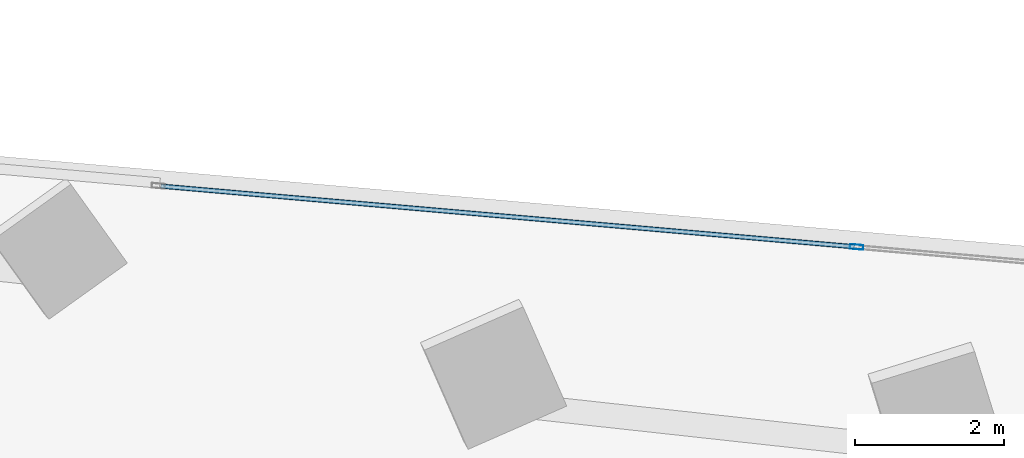
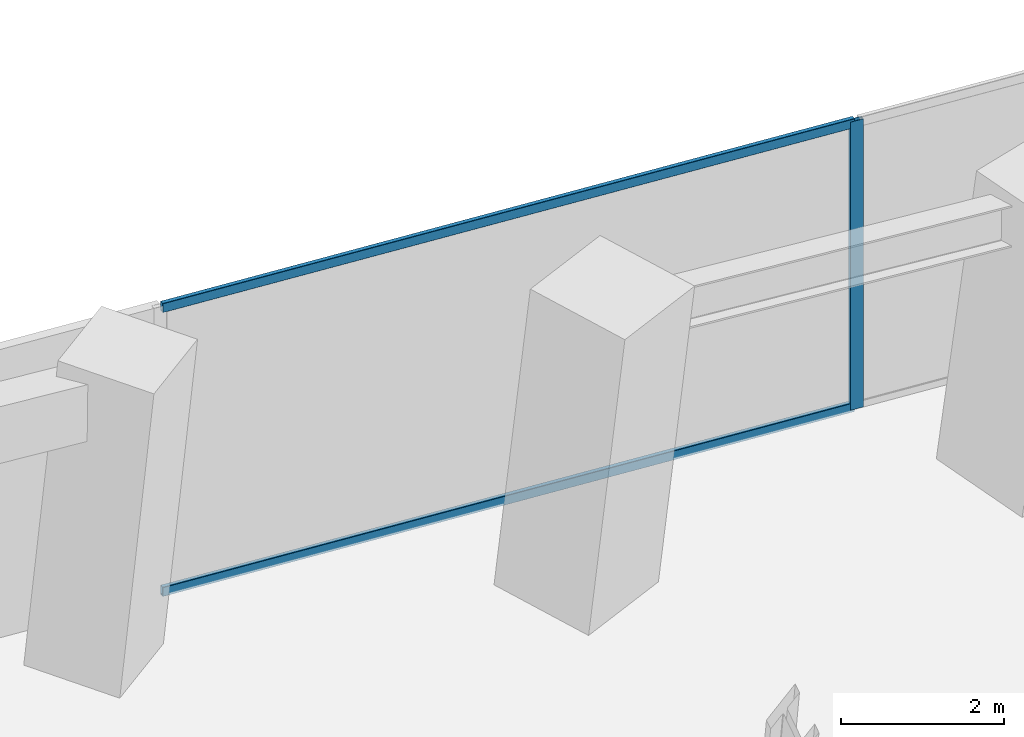
# One storey, part 18 of 24: 3 members, 1 element without a shape of its own.
"""IFC4 building model written with IfcOpenShell, lengths in metres."""

from ifc_helpers import new_model, si_unit, direction, frame, origin, origin_2d, place, context, subcontext, project, spatial, hollow_rectangle, extrude, source, transform, mapped, material, material_profile, profile_set, type_object, element, aggregate, save


model = new_model("IFC4")

# Units and contexts
model_context = context("Model", 3, precision=1e-05, world=origin(), true_north=direction((0.0, 1.0)))
body_context = subcontext(model_context, "Body", "Model", "MODEL_VIEW")
ifc_project = project(units=[si_unit("LENGTHUNIT", "METRE"), si_unit("AREAUNIT", "SQUARE_METRE"), si_unit("VOLUMEUNIT", "CUBIC_METRE"), si_unit("PLANEANGLEUNIT", "RADIAN"), si_unit("MASSUNIT", "GRAM", prefix="KILO")], contexts=[model_context])

# Site, building, storey
site_placement = place(None, origin())
site = spatial("IfcSite", under=ifc_project, at=site_placement, CompositionType="ELEMENT")
building_placement = place(site_placement, origin())
building = spatial("IfcBuilding", under=site, at=building_placement, Name="Torre Montelarca", CompositionType="ELEMENT")
storey_placement = place(building_placement, frame((0.0, 0.0, 52.0)))
storey = spatial("IfcBuildingStorey", under=building, at=storey_placement, Name="L11", CompositionType="ELEMENT", Elevation=52.0)

# Curtain wall, members
ifc_material_1 = material(Name="Insulated low-E laminated glass", Category="glass")
curtain_wall_type = type_object("IfcCurtainWallType", Name="CW-SYS-Z1", PredefinedType="USERDEFINED", material=ifc_material_1)
curtain_wall_placement = place(storey_placement, origin())
curtain_wall = element("IfcCurtainWall", 1, at=curtain_wall_placement, inside=storey, type_object=curtain_wall_type, Name="L11 Curtain Wall Run CW-T3-L11-E08-B1", ObjectType="UNITISED GLAZING", PredefinedType="USERDEFINED")
ifc_material_2 = material(Name="Anodised aluminium AA 6063-T6", Category="aluminium")
ifc_material_profile_1 = material_profile(ifc_material_2, hollow_rectangle(XDim=0.06494140625, YDim=0.179931640625, WallThickness=0.00390625, InnerFilletRadius=0.00390625, OuterFilletRadius=0.008056640625, at=origin_2d()), Name="ALU65X180X4", Category="aluminium")
ifc_profile_set_1 = profile_set([ifc_material_profile_1], Name="Anodised aluminium AA 6063-T6")
member_type_1 = type_object("IfcMemberType", Name="CWM-ALU180", PredefinedType="MULLION", material=ifc_profile_set_1)
shared_shape_1 = source(origin(), body_context, "Body", "SweptSolid", [
    extrude(hollow_rectangle(XDim=0.06494140625, YDim=0.179931640625, WallThickness=0.00390625, InnerFilletRadius=0.00390625, OuterFilletRadius=0.008056640625, at=origin_2d()), origin(), (0.0, 0.0, 1.0), 4.320068359375),
])
member_1_placement = place(storey_placement, frame((48.068359375, 45.806884765625, 0.0), z_axis=(0.0, 0.0, 1.0), x_axis=(-0.087156798635, -0.996194605713, 0.0)))
member_1 = element("IfcMember", 2, at=member_1_placement, type_object=member_type_1, Name="CW mullion 2", PredefinedType="MULLION", context=body_context, shape_type="MappedRepresentation", body=[
    mapped(shared_shape_1, transform((0.0, 0.0, 0.0), scale=1.0)),
])
ifc_material_profile_2 = material_profile(ifc_material_2, hollow_rectangle(XDim=0.06494140625, YDim=0.139892578125, WallThickness=0.00390625, InnerFilletRadius=0.00390625, OuterFilletRadius=0.008056640625, at=origin_2d()), Name="ALU65X140X4", Category="aluminium")
ifc_profile_set_2 = profile_set([ifc_material_profile_2], Name="Anodised aluminium AA 6063-T6")
member_type_2 = type_object("IfcMemberType", Name="CWT-ALU140", PredefinedType="USERDEFINED", material=ifc_profile_set_2)
shared_shape_2 = source(origin(), body_context, "Body", "SweptSolid", [
    extrude(hollow_rectangle(XDim=0.06494140625, YDim=0.139892578125, WallThickness=0.00390625, InnerFilletRadius=0.00390625, OuterFilletRadius=0.008056640625, at=origin_2d()), origin(), (0.0, 0.0, 1.0), 9.372802734375),
])
member_2_placement = place(storey_placement, frame((48.035888671875, 45.809814453125, 0.032470703125), z_axis=(-0.996194706995, 0.087155640988, 0.0), x_axis=(-0.087155640988, -0.996194706995, 0.0)))
member_2 = element("IfcMember", 3, at=member_2_placement, type_object=member_type_2, Name="CW transom 2.1", ObjectType="TRANSOM", PredefinedType="USERDEFINED", context=body_context, shape_type="MappedRepresentation", body=[
    mapped(shared_shape_2, transform((0.0, 0.0, 0.0), scale=1.0)),
])
member_3_placement = place(storey_placement, frame((48.035888671875, 45.809814453125, 4.28759765625), z_axis=(-0.996194706995, 0.087155640988, 0.0), x_axis=(-0.087155640988, -0.996194706995, 0.0)))
member_3 = element("IfcMember", 4, at=member_3_placement, type_object=member_type_2, Name="CW transom 2.2", ObjectType="TRANSOM", PredefinedType="USERDEFINED", context=body_context, shape_type="MappedRepresentation", body=[
    mapped(shared_shape_2, transform((0.0, 0.0, 0.0), scale=1.0)),
])
aggregate(curtain_wall, [member_1, member_2, member_3])

save(model, "model.ifc")
